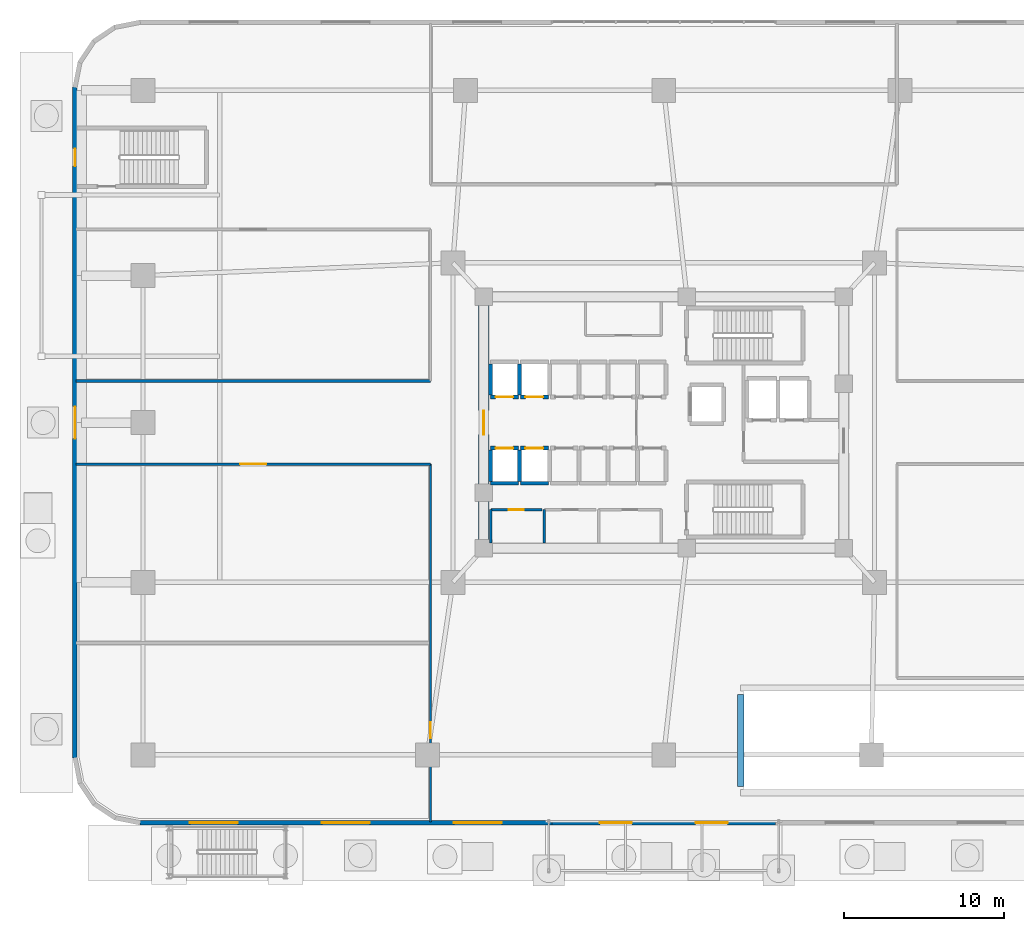
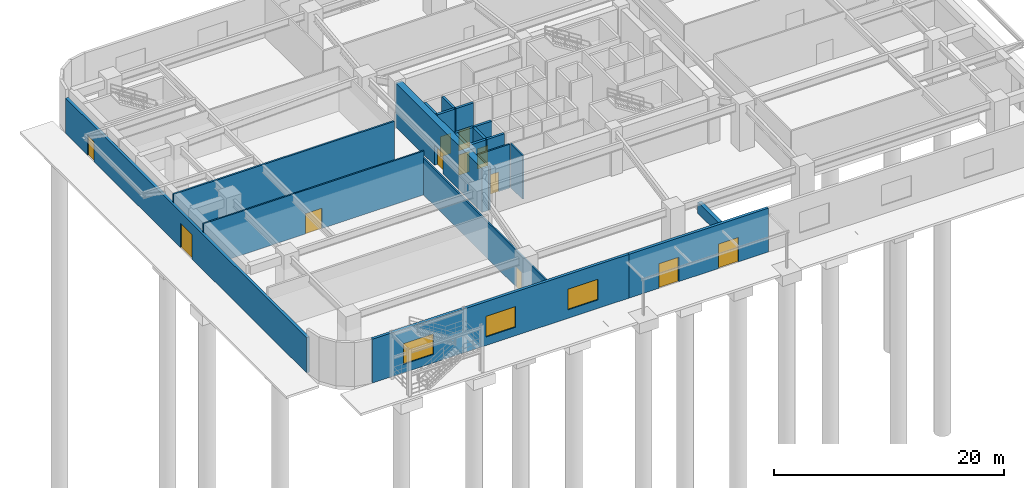
# One storey, part 11 of 18: 21 walls, 12 doors, 3 windows, 15 openings.
"""IFC4 building model written with IfcOpenShell, lengths in metres."""

from ifc_helpers import new_model, si_unit, direction, frame, frame_2d, origin, place, context, subcontext, project, spatial, rectangle, extrude, material, layer, layer_set, type_object, element, fill, save


model = new_model("IFC4")

# Units and contexts
model_context = context("Model", 3, precision=1e-05, world=origin(), true_north=direction((0.0, 1.0)))
body_context = subcontext(model_context, "Body", "Model", "MODEL_VIEW")
ifc_project = project(units=[si_unit("LENGTHUNIT", "METRE"), si_unit("AREAUNIT", "SQUARE_METRE"), si_unit("VOLUMEUNIT", "CUBIC_METRE"), si_unit("PLANEANGLEUNIT", "RADIAN"), si_unit("MASSUNIT", "GRAM", prefix="KILO")], contexts=[model_context])

# Site, building, storey
site_placement = place(None, origin())
site = spatial("IfcSite", under=ifc_project, at=site_placement, CompositionType="ELEMENT")
building_placement = place(site_placement, origin())
building = spatial("IfcBuilding", under=site, at=building_placement, Name="Zulverin Broadcast Headquarters", CompositionType="ELEMENT")
storey_placement = place(building_placement, origin())
storey = spatial("IfcBuildingStorey", under=building, at=storey_placement, Name="L00", CompositionType="ELEMENT", Elevation=0.0)

# Wall
ifc_material_1 = material(Name="Concrete C50/60", Category="concrete")
ifc_layer_1 = layer(ifc_material_1, 0.39990234375, Name="Concrete C50/60", Category="concrete")
ifc_layer_set_1 = layer_set([ifc_layer_1], Name="Concrete C50/60")
wall_type_1 = type_object("IfcWallType", Name="WL-BAR-400", PredefinedType="SOLIDWALL", material=ifc_layer_set_1)
wall_1_placement = place(storey_placement, frame((41.820068359375, 2.419921875, 0.0), z_axis=(0.0, 0.0, 1.0), x_axis=(0.0, 1.0, 0.0)))
element("IfcWall", 1, at=wall_1_placement, inside=storey, type_object=wall_type_1, Name="L00 Ramp Well West End Barrier Wall", PredefinedType="SOLIDWALL", context=body_context, shape_type="SweptSolid", body=[
    extrude(rectangle(XDim=5.760009765625, YDim=0.39990234375, at=frame_2d((2.8798828125, 0.0))), origin(), (0.0, 0.0, 1.0), 1.179931640625),
])

# Wall, opening, door
ifc_material_2 = material(Name="Concrete C60/75", Category="concrete")
ifc_layer_2 = layer(ifc_material_2, 0.64990234375, Name="Concrete C60/75", Category="concrete")
ifc_layer_set_2 = layer_set([ifc_layer_2], Name="Concrete C60/75")
wall_type_2 = type_object("IfcWallType", Name="WL-CORE-650", PredefinedType="SHEAR", material=ifc_layer_set_2)
wall_2_placement = place(storey_placement, frame((25.72509765625, 17.64990234375, 0.0), z_axis=(0.0, 0.0, 1.0), x_axis=(0.0, 1.0, 0.0)))
wall_2 = element("IfcWall", 2, at=wall_2_placement, inside=storey, type_object=wall_type_2, Name="L00 Core West Shear Wall", PredefinedType="SHEAR", context=body_context, shape_type="SweptSolid", body=[
    extrude(rectangle(XDim=15.10009765625, YDim=0.64990234375, at=frame_2d((7.550048828125, 0.0))), origin(), (0.0, 0.0, 1.0), 4.659912109375),
])
opening_1_placement = place(wall_2_placement, frame((6.800048828125, 0.0, 0.0)))
opening_1 = element("IfcOpeningElement", 3, at=opening_1_placement, cuts=wall_2, Name="Opening D-L00-CW1", PredefinedType="OPENING", context=body_context, shape_type="SweptSolid", body=[
    extrude(rectangle(XDim=1.5, YDim=2.14990234375, at=frame_2d((0.75, 1.074951171875))), frame((0.0, 0.3349609375, 0.0), z_axis=(0.0, -1.0, 0.0), x_axis=(1.0, 0.0, 0.0)), (0.0, 0.0, 1.0), 0.669921875),
])
ifc_material_3 = material(Name="Fire-rated glazed steel frame", Category="steel")
door_type_1 = type_object("IfcDoorType", Name="DR-COR-1500", OperationType="DOUBLE_DOOR_SINGLE_SWING", PredefinedType="DOOR", material=ifc_material_3)
door_1_placement = place(opening_1_placement, origin())
door_1 = element("IfcDoor", 4, at=door_1_placement, inside=storey, type_object=door_type_1, Name="L00 Central Lift Lobby West Portal Door", OperationType="DOUBLE_DOOR_SINGLE_SWING", OverallHeight=2.14990234375, OverallWidth=1.5, PredefinedType="DOOR", context=body_context, shape_type="SweptSolid", body=[
    extrude(rectangle(XDim=1.5, YDim=2.14990234375, at=frame_2d((0.75, 1.074951171875))), frame((0.0, 0.02490234375, 0.0), z_axis=(0.0, -1.0, 0.0), x_axis=(1.0, 0.0, 0.0)), (0.0, 0.0, 1.0), 0.050048828125),
])
fill(opening_1, door_1)

# Wall, openings, doors
ifc_material_4 = material(Name="Insulated pale-metal clad concrete spandrel C40/50", Category="concrete")
ifc_layer_3 = layer(ifc_material_4, 0.280029296875, Name="Insulated pale-metal clad concrete spandrel C40/50", Category="concrete")
ifc_layer_set_3 = layer_set([ifc_layer_3], Name="Insulated pale-metal clad concrete spandrel C40/50")
wall_type_3 = type_object("IfcWallType", Name="WL-EXT-280", PredefinedType="STANDARD", material=ifc_layer_set_3)
wall_3_placement = place(storey_placement, frame((0.139892578125, 4.199951171875, 0.0), z_axis=(0.0, 0.0, 1.0), x_axis=(0.0, 1.0, 0.0)))
wall_3 = element("IfcWall", 5, at=wall_3_placement, inside=storey, type_object=wall_type_3, Name="L00 Podium Exterior Wall 3", PredefinedType="STANDARD", context=body_context, shape_type="SweptSolid", body=[
    extrude(rectangle(XDim=42.0, YDim=0.280029296875, at=frame_2d((21.0, 0.0))), origin(), (0.0, 0.0, 1.0), 3.760009765625),
])
opening_2_placement = place(wall_3_placement, frame((20.0, 0.0, 0.0)))
opening_2 = element("IfcOpeningElement", 6, at=opening_2_placement, cuts=wall_3, Name="Opening D-L00-EW1", PredefinedType="OPENING", context=body_context, shape_type="SweptSolid", body=[
    extrude(rectangle(XDim=2.0, YDim=2.60009765625, at=frame_2d((1.0, 1.300048828125))), frame((0.0, 0.14990234375, 0.0), z_axis=(0.0, -1.0, 0.0), x_axis=(1.0, 0.0, 0.0)), (0.0, 0.0, 1.0), 0.300048828125),
])
opening_3_placement = place(wall_3_placement, frame((37.050048828125, 0.0, 0.0)))
opening_3 = element("IfcOpeningElement", 7, at=opening_3_placement, cuts=wall_3, Name="Opening D-L00-EX3", PredefinedType="OPENING", context=body_context, shape_type="SweptSolid", body=[
    extrude(rectangle(XDim=1.10009765625, YDim=2.14990234375, at=frame_2d((0.550048828125, 1.074951171875))), frame((0.0, 0.14990234375, 0.0), z_axis=(0.0, -1.0, 0.0), x_axis=(1.0, 0.0, 0.0)), (0.0, 0.0, 1.0), 0.300048828125),
])
ifc_material_5 = material(Name="Anodized aluminium glazed entry", Category="aluminium")
door_type_2 = type_object("IfcDoorType", Name="DR-ENT-2000", OperationType="DOUBLE_DOOR_SINGLE_SWING", PredefinedType="DOOR", material=ifc_material_5)
door_2_placement = place(opening_2_placement, origin())
door_2 = element("IfcDoor", 8, at=door_2_placement, inside=storey, type_object=door_type_2, Name="L00 West Forecourt Plaza Entrance Door", OperationType="DOUBLE_DOOR_SINGLE_SWING", OverallHeight=2.60009765625, OverallWidth=2.0, PredefinedType="DOOR", context=body_context, shape_type="SweptSolid", body=[
    extrude(rectangle(XDim=2.0, YDim=2.60009765625, at=frame_2d((1.0, 1.300048828125))), frame((0.0, 0.02490234375, 0.0), z_axis=(0.0, -1.0, 0.0), x_axis=(1.0, 0.0, 0.0)), (0.0, 0.0, 1.0), 0.050048828125),
])
fill(opening_2, door_2)
ifc_material_6 = material(Name="Fire-rated steel leaf and frame", Category="steel")
door_type_3 = type_object("IfcDoorType", Name="DR-STAIR-1100", OperationType="SINGLE_SWING_LEFT", PredefinedType="DOOR", material=ifc_material_6)
door_3_placement = place(opening_3_placement, origin())
door_3 = element("IfcDoor", 9, at=door_3_placement, inside=storey, type_object=door_type_3, Name="L00 Exit Stair ST-3 Final Exterior Exit Door", OperationType="SINGLE_SWING_LEFT", OverallHeight=2.14990234375, OverallWidth=1.10009765625, PredefinedType="DOOR", context=body_context, shape_type="SweptSolid", body=[
    extrude(rectangle(XDim=1.10009765625, YDim=2.14990234375, at=frame_2d((0.550048828125, 1.074951171875))), frame((0.0, 0.02490234375, 0.0), z_axis=(0.0, -1.0, 0.0), x_axis=(1.0, 0.0, 0.0)), (0.0, 0.0, 1.0), 0.050048828125),
])
fill(opening_3, door_3)

# Wall, openings, windows
wall_4_placement = place(storey_placement, frame((4.199951171875, 0.139892578125, 0.0), z_axis=(0.0, 0.0, 1.0), x_axis=(1.0, 0.0, 0.0)))
wall_4 = element("IfcWall", 10, at=wall_4_placement, inside=storey, type_object=wall_type_3, Name="L00 Podium Flank Wall 4-1", PredefinedType="STANDARD", context=body_context, shape_type="SweptSolid", body=[
    extrude(rectangle(XDim=25.800048828125, YDim=0.280029296875, at=frame_2d((12.89990234375, 0.0))), origin(), (0.0, 0.0, 1.0), 4.659912109375),
])
opening_4_placement = place(wall_4_placement, frame((3.13330078125, 0.0, 0.89990234375)))
opening_4 = element("IfcOpeningElement", 11, at=opening_4_placement, cuts=wall_4, Name="Opening W-L00-F411", PredefinedType="OPENING", context=body_context, shape_type="SweptSolid", body=[
    extrude(rectangle(XDim=3.0, YDim=2.199951171875, at=frame_2d((1.5, 1.10009765625))), frame((0.0, 0.14990234375, 0.0), z_axis=(0.0, -1.0, 0.0), x_axis=(1.0, 0.0, 0.0)), (0.0, 0.0, 1.0), 0.300048828125),
])
opening_5_placement = place(wall_4_placement, frame((11.39990234375, 0.0, 0.89990234375)))
opening_5 = element("IfcOpeningElement", 12, at=opening_5_placement, cuts=wall_4, Name="Opening W-L00-F412", PredefinedType="OPENING", context=body_context, shape_type="SweptSolid", body=[
    extrude(rectangle(XDim=3.0, YDim=2.199951171875, at=frame_2d((1.5, 1.10009765625))), frame((0.0, 0.14990234375, 0.0), z_axis=(0.0, -1.0, 0.0), x_axis=(1.0, 0.0, 0.0)), (0.0, 0.0, 1.0), 0.300048828125),
])
opening_6_placement = place(wall_4_placement, frame((19.666748046875, 0.0, 0.89990234375)))
opening_6 = element("IfcOpeningElement", 13, at=opening_6_placement, cuts=wall_4, Name="Opening W-L00-F413", PredefinedType="OPENING", context=body_context, shape_type="SweptSolid", body=[
    extrude(rectangle(XDim=3.0, YDim=2.199951171875, at=frame_2d((1.5, 1.10009765625))), frame((0.0, 0.14990234375, 0.0), z_axis=(0.0, -1.0, 0.0), x_axis=(1.0, 0.0, 0.0)), (0.0, 0.0, 1.0), 0.300048828125),
])
ifc_material_7 = material(Name="Pale anodized aluminium frame with solar-control low-E double glazing", Category="aluminium")
window_type = type_object("IfcWindowType", Name="WIN-POD-3000", PartitioningType="SINGLE_PANEL", PredefinedType="WINDOW", material=ifc_material_7)
window_1_placement = place(opening_4_placement, origin())
window_1 = element("IfcWindow", 14, at=window_1_placement, inside=storey, type_object=window_type, Name="L00 Podium Flank Window 4-1 1", OverallHeight=2.199951171875, OverallWidth=3.0, PartitioningType="SINGLE_PANEL", PredefinedType="WINDOW", context=body_context, shape_type="SweptSolid", body=[
    extrude(rectangle(XDim=3.0, YDim=2.199951171875, at=frame_2d((1.5, 1.10009765625))), frame((0.0, 0.030029296875, 0.0), z_axis=(0.0, -1.0, 0.0), x_axis=(1.0, 0.0, 0.0)), (0.0, 0.0, 1.0), 0.06005859375),
])
fill(opening_4, window_1)
window_2_placement = place(opening_5_placement, origin())
window_2 = element("IfcWindow", 15, at=window_2_placement, inside=storey, type_object=window_type, Name="L00 Podium Flank Window 4-1 2", OverallHeight=2.199951171875, OverallWidth=3.0, PartitioningType="SINGLE_PANEL", PredefinedType="WINDOW", context=body_context, shape_type="SweptSolid", body=[
    extrude(rectangle(XDim=3.0, YDim=2.199951171875, at=frame_2d((1.5, 1.10009765625))), frame((0.0, 0.030029296875, 0.0), z_axis=(0.0, -1.0, 0.0), x_axis=(1.0, 0.0, 0.0)), (0.0, 0.0, 1.0), 0.06005859375),
])
fill(opening_5, window_2)
window_3_placement = place(opening_6_placement, origin())
window_3 = element("IfcWindow", 16, at=window_3_placement, inside=storey, type_object=window_type, Name="L00 Podium Flank Window 4-1 3", OverallHeight=2.199951171875, OverallWidth=3.0, PartitioningType="SINGLE_PANEL", PredefinedType="WINDOW", context=body_context, shape_type="SweptSolid", body=[
    extrude(rectangle(XDim=3.0, YDim=2.199951171875, at=frame_2d((1.5, 1.10009765625))), frame((0.0, 0.030029296875, 0.0), z_axis=(0.0, -1.0, 0.0), x_axis=(1.0, 0.0, 0.0)), (0.0, 0.0, 1.0), 0.06005859375),
])
fill(opening_6, window_3)

# Wall, openings, doors
wall_5_placement = place(storey_placement, frame((44.0, 0.139892578125, 0.0), z_axis=(0.0, 0.0, 1.0), x_axis=(-1.0, 0.0, 0.0)))
wall_5 = element("IfcWall", 17, at=wall_5_placement, inside=storey, type_object=wall_type_3, Name="L00 South Grand Entrance Portal Wall", PredefinedType="STANDARD", context=body_context, shape_type="SweptSolid", body=[
    extrude(rectangle(XDim=14.0, YDim=0.280029296875, at=frame_2d((7.0, 0.0))), origin(), (0.0, 0.0, 1.0), 4.659912109375),
])
opening_7_placement = place(wall_5_placement, frame((3.0, 0.0, 0.0)))
opening_7 = element("IfcOpeningElement", 18, at=opening_7_placement, cuts=wall_5, Name="Opening D-L00-ES1", PredefinedType="OPENING", context=body_context, shape_type="SweptSolid", body=[
    extrude(rectangle(XDim=2.0, YDim=2.60009765625, at=frame_2d((1.0, 1.300048828125))), frame((0.0, 0.14990234375, 0.0), z_axis=(0.0, -1.0, 0.0), x_axis=(1.0, 0.0, 0.0)), (0.0, 0.0, 1.0), 0.300048828125),
])
opening_8_placement = place(wall_5_placement, frame((9.0, 0.0, 0.0)))
opening_8 = element("IfcOpeningElement", 19, at=opening_8_placement, cuts=wall_5, Name="Opening D-L00-ES2", PredefinedType="OPENING", context=body_context, shape_type="SweptSolid", body=[
    extrude(rectangle(XDim=2.0, YDim=2.60009765625, at=frame_2d((1.0, 1.300048828125))), frame((0.0, 0.14990234375, 0.0), z_axis=(0.0, -1.0, 0.0), x_axis=(1.0, 0.0, 0.0)), (0.0, 0.0, 1.0), 0.300048828125),
])
door_4_placement = place(opening_7_placement, origin())
door_4 = element("IfcDoor", 20, at=door_4_placement, inside=storey, type_object=door_type_2, Name="L00 South Grand Broadcast Entrance Door 1", OperationType="DOUBLE_DOOR_SINGLE_SWING", OverallHeight=2.60009765625, OverallWidth=2.0, PredefinedType="DOOR", context=body_context, shape_type="SweptSolid", body=[
    extrude(rectangle(XDim=2.0, YDim=2.60009765625, at=frame_2d((1.0, 1.300048828125))), frame((0.0, 0.02490234375, 0.0), z_axis=(0.0, -1.0, 0.0), x_axis=(1.0, 0.0, 0.0)), (0.0, 0.0, 1.0), 0.050048828125),
])
fill(opening_7, door_4)
door_5_placement = place(opening_8_placement, origin())
door_5 = element("IfcDoor", 21, at=door_5_placement, inside=storey, type_object=door_type_2, Name="L00 South Grand Broadcast Entrance Door 2", OperationType="DOUBLE_DOOR_SINGLE_SWING", OverallHeight=2.60009765625, OverallWidth=2.0, PredefinedType="DOOR", context=body_context, shape_type="SweptSolid", body=[
    extrude(rectangle(XDim=2.0, YDim=2.60009765625, at=frame_2d((1.0, 1.300048828125))), frame((0.0, 0.02490234375, 0.0), z_axis=(0.0, -1.0, 0.0), x_axis=(1.0, 0.0, 0.0)), (0.0, 0.0, 1.0), 0.050048828125),
])
fill(opening_8, door_5)

# Wall, opening, door
ifc_material_8 = material(Name="Fire-rated gypsum stud partition", Category="gypsum")
ifc_layer_4 = layer(ifc_material_8, 0.14990234375, Name="Fire-rated gypsum stud partition", Category="gypsum")
ifc_layer_set_4 = layer_set([ifc_layer_4], Name="Fire-rated gypsum stud partition")
wall_type_4 = type_object("IfcWallType", Name="WL-PART-150", PredefinedType="PARTITIONING", material=ifc_layer_set_4)
wall_6_placement = place(storey_placement, frame((26.169921875, 19.75, 0.0), z_axis=(0.0, 0.0, 1.0), x_axis=(1.0, 0.0, 0.0)))
wall_6 = element("IfcWall", 22, at=wall_6_placement, inside=storey, type_object=wall_type_4, Name="L00 Core Male WC Front Wall", PredefinedType="PARTITIONING", context=body_context, shape_type="SweptSolid", body=[
    extrude(rectangle(XDim=3.2001953125, YDim=0.14990234375, at=frame_2d((1.60009765625, 0.0))), origin(), (0.0, 0.0, 1.0), 4.659912109375),
])
opening_9_placement = place(wall_6_placement, frame((1.125, 0.0, 0.0)))
opening_9 = element("IfcOpeningElement", 23, at=opening_9_placement, cuts=wall_6, Name="Opening D-L00-SC1", PredefinedType="OPENING", context=body_context, shape_type="SweptSolid", body=[
    extrude(rectangle(XDim=0.949951171875, YDim=2.10009765625, at=frame_2d((0.47509765625, 1.050048828125))), frame((0.0, 0.0849609375, 0.0), z_axis=(0.0, -1.0, 0.0), x_axis=(1.0, 0.0, 0.0)), (0.0, 0.0, 1.0), 0.169921875),
])
ifc_material_9 = material(Name="Fire-rated moisture-resistant laminate leaf", Category="wood")
door_type_4 = type_object("IfcDoorType", Name="DR-WC-950", OperationType="SINGLE_SWING_LEFT", PredefinedType="DOOR", material=ifc_material_9)
door_6_placement = place(opening_9_placement, origin())
door_6 = element("IfcDoor", 24, at=door_6_placement, inside=storey, type_object=door_type_4, Name="L00 Male WC Door", OperationType="SINGLE_SWING_RIGHT", OverallHeight=2.10009765625, OverallWidth=0.949951171875, PredefinedType="DOOR", context=body_context, shape_type="SweptSolid", body=[
    extrude(rectangle(XDim=0.949951171875, YDim=2.10009765625, at=frame_2d((0.47509765625, 1.050048828125))), frame((0.0, 0.02490234375, 0.0), z_axis=(0.0, -1.0, 0.0), x_axis=(1.0, 0.0, 0.0)), (0.0, 0.0, 1.0), 0.050048828125),
])
fill(opening_9, door_6)

# Walls
for number, where, z_axis, x_axis, name in (
    (25, (26.169921875, 17.64990234375, 0.0), (0.0, 0.0, 1.0), (0.0, 1.0, 0.0), "L00 Core Male WC West Wall"),
    (26, (29.530029296875, 17.64990234375, 0.0), (0.0, 0.0, 1.0), (0.0, 1.0, 0.0), "L00 Core Female WC West Wall"),
):
    element("IfcWall", number, at=place(storey_placement, frame(where, z_axis=z_axis, x_axis=x_axis)), inside=storey, type_object=wall_type_4, Name=name, PredefinedType="PARTITIONING", context=body_context, shape_type="SweptSolid", body=[
        extrude(rectangle(XDim=2.10009765625, YDim=0.14990234375, at=frame_2d((1.050048828125, 0.0))), origin(), (0.0, 0.0, 1.0), 4.659912109375),
    ])

# Wall, opening, door
wall_7_placement = place(storey_placement, frame((22.39990234375, 0.205078125, 0.0), z_axis=(0.0, 0.0, 1.0), x_axis=(0.0, 1.0, 0.0)))
wall_7 = element("IfcWall", 27, at=wall_7_placement, inside=storey, type_object=wall_type_4, Name="L00 Gallery Partition Wall CG-05", PredefinedType="PARTITIONING", context=body_context, shape_type="SweptSolid", body=[
    extrude(rectangle(XDim=22.39501953125, YDim=0.14990234375, at=frame_2d((11.197509765625, 0.0))), origin(), (0.0, 0.0, 1.0), 3.89013671875),
])
opening_10_placement = place(wall_7_placement, frame((5.217529296875, 0.0, 0.0)))
opening_10 = element("IfcOpeningElement", 28, at=opening_10_placement, cuts=wall_7, Name="Opening D-L00-FCC", PredefinedType="OPENING", context=body_context, shape_type="SweptSolid", body=[
    extrude(rectangle(XDim=1.0, YDim=2.1201171875, at=frame_2d((0.5, 1.06005859375))), frame((0.0, 0.0849609375, 0.0), z_axis=(0.0, -1.0, 0.0), x_axis=(1.0, 0.0, 0.0)), (0.0, 0.0, 1.0), 0.169921875),
])
ifc_material_10 = material(Name="Hardwood veneer acoustic leaf", Category="wood")
door_type_5 = type_object("IfcDoorType", Name="DR-OFF-1000", OperationType="SINGLE_SWING_LEFT", PredefinedType="DOOR", material=ifc_material_10)
door_7_placement = place(opening_10_placement, origin())
door_7 = element("IfcDoor", 29, at=door_7_placement, inside=storey, type_object=door_type_5, Name="L00 Fire Command Room Door", OperationType="SINGLE_SWING_RIGHT", OverallHeight=2.1201171875, OverallWidth=1.0, PredefinedType="DOOR", context=body_context, shape_type="SweptSolid", body=[
    extrude(rectangle(XDim=1.0, YDim=2.1201171875, at=frame_2d((0.5, 1.06005859375))), frame((0.0, 0.02490234375, 0.0), z_axis=(0.0, -1.0, 0.0), x_axis=(1.0, 0.0, 0.0)), (0.0, 0.0, 1.0), 0.050048828125),
])
fill(opening_10, door_7)

wall_8_placement = place(storey_placement, frame((0.205078125, 22.60009765625, 0.0), z_axis=(0.0, 0.0, 1.0), x_axis=(1.0, 0.0, 0.0)))
wall_8 = element("IfcWall", 30, at=wall_8_placement, inside=storey, type_object=wall_type_4, Name="L00 Gallery Partition Wall CG-10", PredefinedType="PARTITIONING", context=body_context, shape_type="SweptSolid", body=[
    extrude(rectangle(XDim=22.19482421875, YDim=0.14990234375, at=frame_2d((11.097412109375, 0.0))), origin(), (0.0, 0.0, 1.0), 4.659912109375),
])
opening_11_placement = place(wall_8_placement, frame((10.2724609375, 0.0, 0.0)))
opening_11 = element("IfcOpeningElement", 31, at=opening_11_placement, cuts=wall_8, Name="Opening D-L00-RET", PredefinedType="OPENING", context=body_context, shape_type="SweptSolid", body=[
    extrude(rectangle(XDim=1.64990234375, YDim=2.14990234375, at=frame_2d((0.824951171875, 1.074951171875))), frame((0.0, 0.0849609375, 0.0), z_axis=(0.0, -1.0, 0.0), x_axis=(1.0, 0.0, 0.0)), (0.0, 0.0, 1.0), 0.169921875),
])
ifc_material_11 = material(Name="Fire-rated acoustic double leaf", Category="steel")
door_type_6 = type_object("IfcDoorType", Name="DR-AUD-1650", OperationType="DOUBLE_DOOR_SINGLE_SWING", PredefinedType="DOOR", material=ifc_material_11)
door_8_placement = place(opening_11_placement, origin())
door_8 = element("IfcDoor", 32, at=door_8_placement, inside=storey, type_object=door_type_6, Name="L00 Broadcast Experience Retail & Cafe Door", OperationType="DOUBLE_DOOR_SINGLE_SWING", OverallHeight=2.14990234375, OverallWidth=1.64990234375, PredefinedType="DOOR", context=body_context, shape_type="SweptSolid", body=[
    extrude(rectangle(XDim=1.64990234375, YDim=2.14990234375, at=frame_2d((0.824951171875, 1.074951171875))), frame((0.0, 0.02490234375, 0.0), z_axis=(0.0, -1.0, 0.0), x_axis=(1.0, 0.0, 0.0)), (0.0, 0.0, 1.0), 0.050048828125),
])
fill(opening_11, door_8)

# Wall
ifc_material_12 = material(Name="Fire-rated acoustic stud wall", Category="gypsum")
ifc_layer_5 = layer(ifc_material_12, 0.175048828125, Name="Fire-rated acoustic stud wall", Category="gypsum")
ifc_layer_set_5 = layer_set([ifc_layer_5], Name="Fire-rated acoustic stud wall")
wall_type_5 = type_object("IfcWallType", Name="WL-PART-175", PredefinedType="PARTITIONING", material=ifc_layer_set_5)
wall_9_placement = place(storey_placement, frame((0.205078125, 27.800048828125, 0.0), z_axis=(0.0, 0.0, 1.0), x_axis=(1.0, 0.0, 0.0)))
element("IfcWall", 33, at=wall_9_placement, inside=storey, type_object=wall_type_5, Name="L00 Gallery Partition Wall CG-12", PredefinedType="PARTITIONING", context=body_context, shape_type="SweptSolid", body=[
    extrude(rectangle(XDim=22.19482421875, YDim=0.175048828125, at=frame_2d((11.097412109375, 0.0))), origin(), (0.0, 0.0, 1.0), 4.659912109375),
])

# Wall, opening, door
ifc_layer_6 = layer(ifc_material_1, 0.25, Name="Concrete C50/60", Category="concrete")
ifc_layer_set_6 = layer_set([ifc_layer_6], Name="Concrete C50/60")
wall_type_6 = type_object("IfcWallType", Name="WL-SHAFT-250", PredefinedType="SHEAR", material=ifc_layer_set_6)
wall_10_placement = place(storey_placement, frame((26.14990234375, 26.800048828125, 0.0), z_axis=(0.0, 0.0, 1.0), x_axis=(1.0, 0.0, 0.0)))
wall_10 = element("IfcWall", 34, at=wall_10_placement, inside=storey, type_object=wall_type_6, Name="L00 Lift PL-L1 Shaft Wall S", PredefinedType="SHEAR", context=body_context, shape_type="SweptSolid", body=[
    extrude(rectangle(XDim=1.75, YDim=0.25, at=frame_2d((0.875, 0.0))), origin(), (0.0, 0.0, 1.0), 4.659912109375),
])
opening_12_placement = place(wall_10_placement, frame((0.324951171875, 0.0, 0.0)))
opening_12 = element("IfcOpeningElement", 35, at=opening_12_placement, cuts=wall_10, Name="Opening LD-PL-L1-L00", PredefinedType="OPENING", context=body_context, shape_type="SweptSolid", body=[
    extrude(rectangle(XDim=1.10009765625, YDim=2.14990234375, at=frame_2d((0.550048828125, 1.074951171875))), frame((0.0, 0.135009765625, 0.0), z_axis=(0.0, -1.0, 0.0), x_axis=(1.0, 0.0, 0.0)), (0.0, 0.0, 1.0), 0.27001953125),
])
ifc_material_13 = material(Name="Brushed stainless steel landing", Category="steel")
door_type_7 = type_object("IfcDoorType", Name="LD-PASS-1100", OperationType="DOUBLE_DOOR_SLIDING", PredefinedType="DOOR", material=ifc_material_13)
door_9_placement = place(opening_12_placement, origin())
door_9 = element("IfcDoor", 36, at=door_9_placement, inside=storey, type_object=door_type_7, Name="L00 Lift PL-L1 Sliding Landing Door", OperationType="DOUBLE_DOOR_SLIDING", OverallHeight=2.14990234375, OverallWidth=1.10009765625, PredefinedType="DOOR", context=body_context, shape_type="SweptSolid", body=[
    extrude(rectangle(XDim=1.10009765625, YDim=2.14990234375, at=frame_2d((0.550048828125, 1.074951171875))), frame((0.0, 0.02490234375, 0.0), z_axis=(0.0, -1.0, 0.0), x_axis=(1.0, 0.0, 0.0)), (0.0, 0.0, 1.0), 0.050048828125),
])
fill(opening_12, door_9)

# Walls
for number, where, z_axis, x_axis, name in (
    (37, (26.14990234375, 26.919921875, 0.0), (0.0, 0.0, 1.0), (0.0, 1.0, 0.0), "L00 Lift PL-L1 Shaft Wall W"),
    (38, (27.9599609375, 26.919921875, 0.0), (0.0, 0.0, 1.0), (0.0, 1.0, 0.0), "L00 Lift PL-L1 Shaft Wall E"),
):
    element("IfcWall", number, at=place(storey_placement, frame(where, z_axis=z_axis, x_axis=x_axis)), inside=storey, type_object=wall_type_6, Name=name, PredefinedType="SHEAR", context=body_context, shape_type="SweptSolid", body=[
        extrude(rectangle(XDim=1.9599609375, YDim=0.25, at=frame_2d((0.97998046875, 0.0))), origin(), (0.0, 0.0, 1.0), 4.659912109375),
    ])

# Wall, opening, door
wall_11_placement = place(storey_placement, frame((28.02001953125, 26.800048828125, 0.0), z_axis=(0.0, 0.0, 1.0), x_axis=(1.0, 0.0, 0.0)))
wall_11 = element("IfcWall", 39, at=wall_11_placement, inside=storey, type_object=wall_type_6, Name="L00 Lift PL-L2 Shaft Wall S", PredefinedType="SHEAR", context=body_context, shape_type="SweptSolid", body=[
    extrude(rectangle(XDim=1.75, YDim=0.25, at=frame_2d((0.875, 0.0))), origin(), (0.0, 0.0, 1.0), 4.659912109375),
])
opening_13_placement = place(wall_11_placement, frame((0.324951171875, 0.0, 0.0)))
opening_13 = element("IfcOpeningElement", 40, at=opening_13_placement, cuts=wall_11, Name="Opening LD-PL-L2-L00", PredefinedType="OPENING", context=body_context, shape_type="SweptSolid", body=[
    extrude(rectangle(XDim=1.10009765625, YDim=2.14990234375, at=frame_2d((0.550048828125, 1.074951171875))), frame((0.0, 0.135009765625, 0.0), z_axis=(0.0, -1.0, 0.0), x_axis=(1.0, 0.0, 0.0)), (0.0, 0.0, 1.0), 0.27001953125),
])
door_10_placement = place(opening_13_placement, origin())
door_10 = element("IfcDoor", 41, at=door_10_placement, inside=storey, type_object=door_type_7, Name="L00 Lift PL-L2 Sliding Landing Door", OperationType="DOUBLE_DOOR_SLIDING", OverallHeight=2.14990234375, OverallWidth=1.10009765625, PredefinedType="DOOR", context=body_context, shape_type="SweptSolid", body=[
    extrude(rectangle(XDim=1.10009765625, YDim=2.14990234375, at=frame_2d((0.550048828125, 1.074951171875))), frame((0.0, 0.02490234375, 0.0), z_axis=(0.0, -1.0, 0.0), x_axis=(1.0, 0.0, 0.0)), (0.0, 0.0, 1.0), 0.050048828125),
])
fill(opening_13, door_10)

# Wall
wall_12_placement = place(storey_placement, frame((26.14990234375, 21.39990234375, 0.0), z_axis=(0.0, 0.0, 1.0), x_axis=(1.0, 0.0, 0.0)))
element("IfcWall", 42, at=wall_12_placement, inside=storey, type_object=wall_type_6, Name="L00 Lift PL-L3 Shaft Wall S", PredefinedType="SHEAR", context=body_context, shape_type="SweptSolid", body=[
    extrude(rectangle(XDim=1.75, YDim=0.25, at=frame_2d((0.875, 0.0))), origin(), (0.0, 0.0, 1.0), 4.659912109375),
])

# Wall, opening, door
wall_13_placement = place(storey_placement, frame((26.14990234375, 23.60009765625, 0.0), z_axis=(0.0, 0.0, 1.0), x_axis=(1.0, 0.0, 0.0)))
wall_13 = element("IfcWall", 43, at=wall_13_placement, inside=storey, type_object=wall_type_6, Name="L00 Lift PL-L3 Shaft Wall N", PredefinedType="SHEAR", context=body_context, shape_type="SweptSolid", body=[
    extrude(rectangle(XDim=1.75, YDim=0.25, at=frame_2d((0.875, 0.0))), origin(), (0.0, 0.0, 1.0), 4.659912109375),
])
opening_14_placement = place(wall_13_placement, frame((0.324951171875, 0.0, 0.0)))
opening_14 = element("IfcOpeningElement", 44, at=opening_14_placement, cuts=wall_13, Name="Opening LD-PL-L3-L00", PredefinedType="OPENING", context=body_context, shape_type="SweptSolid", body=[
    extrude(rectangle(XDim=1.10009765625, YDim=2.14990234375, at=frame_2d((0.550048828125, 1.074951171875))), frame((0.0, 0.135009765625, 0.0), z_axis=(0.0, -1.0, 0.0), x_axis=(1.0, 0.0, 0.0)), (0.0, 0.0, 1.0), 0.27001953125),
])
door_11_placement = place(opening_14_placement, origin())
door_11 = element("IfcDoor", 45, at=door_11_placement, inside=storey, type_object=door_type_7, Name="L00 Lift PL-L3 Sliding Landing Door", OperationType="DOUBLE_DOOR_SLIDING", OverallHeight=2.14990234375, OverallWidth=1.10009765625, PredefinedType="DOOR", context=body_context, shape_type="SweptSolid", body=[
    extrude(rectangle(XDim=1.10009765625, YDim=2.14990234375, at=frame_2d((0.550048828125, 1.074951171875))), frame((0.0, 0.02490234375, 0.0), z_axis=(0.0, -1.0, 0.0), x_axis=(1.0, 0.0, 0.0)), (0.0, 0.0, 1.0), 0.050048828125),
])
fill(opening_14, door_11)

# Walls
for number, where, z_axis, x_axis, name in (
    (46, (26.14990234375, 21.52001953125, 0.0), (0.0, 0.0, 1.0), (0.0, 1.0, 0.0), "L00 Lift PL-L3 Shaft Wall W"),
    (47, (27.9599609375, 21.52001953125, 0.0), (0.0, 0.0, 1.0), (0.0, 1.0, 0.0), "L00 Lift PL-L3 Shaft Wall E"),
):
    element("IfcWall", number, at=place(storey_placement, frame(where, z_axis=z_axis, x_axis=x_axis)), inside=storey, type_object=wall_type_6, Name=name, PredefinedType="SHEAR", context=body_context, shape_type="SweptSolid", body=[
        extrude(rectangle(XDim=1.9599609375, YDim=0.25, at=frame_2d((0.97998046875, 0.0))), origin(), (0.0, 0.0, 1.0), 4.659912109375),
    ])
wall_14_placement = place(storey_placement, frame((28.02001953125, 21.39990234375, 0.0), z_axis=(0.0, 0.0, 1.0), x_axis=(1.0, 0.0, 0.0)))
element("IfcWall", 48, at=wall_14_placement, inside=storey, type_object=wall_type_6, Name="L00 Lift PL-L4 Shaft Wall S", PredefinedType="SHEAR", context=body_context, shape_type="SweptSolid", body=[
    extrude(rectangle(XDim=1.75, YDim=0.25, at=frame_2d((0.875, 0.0))), origin(), (0.0, 0.0, 1.0), 4.659912109375),
])

# Wall, opening, door
wall_15_placement = place(storey_placement, frame((28.02001953125, 23.60009765625, 0.0), z_axis=(0.0, 0.0, 1.0), x_axis=(1.0, 0.0, 0.0)))
wall_15 = element("IfcWall", 49, at=wall_15_placement, inside=storey, type_object=wall_type_6, Name="L00 Lift PL-L4 Shaft Wall N", PredefinedType="SHEAR", context=body_context, shape_type="SweptSolid", body=[
    extrude(rectangle(XDim=1.75, YDim=0.25, at=frame_2d((0.875, 0.0))), origin(), (0.0, 0.0, 1.0), 4.659912109375),
])
opening_15_placement = place(wall_15_placement, frame((0.324951171875, 0.0, 0.0)))
opening_15 = element("IfcOpeningElement", 50, at=opening_15_placement, cuts=wall_15, Name="Opening LD-PL-L4-L00", PredefinedType="OPENING", context=body_context, shape_type="SweptSolid", body=[
    extrude(rectangle(XDim=1.10009765625, YDim=2.14990234375, at=frame_2d((0.550048828125, 1.074951171875))), frame((0.0, 0.135009765625, 0.0), z_axis=(0.0, -1.0, 0.0), x_axis=(1.0, 0.0, 0.0)), (0.0, 0.0, 1.0), 0.27001953125),
])
door_12_placement = place(opening_15_placement, origin())
door_12 = element("IfcDoor", 51, at=door_12_placement, inside=storey, type_object=door_type_7, Name="L00 Lift PL-L4 Sliding Landing Door", OperationType="DOUBLE_DOOR_SLIDING", OverallHeight=2.14990234375, OverallWidth=1.10009765625, PredefinedType="DOOR", context=body_context, shape_type="SweptSolid", body=[
    extrude(rectangle(XDim=1.10009765625, YDim=2.14990234375, at=frame_2d((0.550048828125, 1.074951171875))), frame((0.0, 0.02490234375, 0.0), z_axis=(0.0, -1.0, 0.0), x_axis=(1.0, 0.0, 0.0)), (0.0, 0.0, 1.0), 0.050048828125),
])
fill(opening_15, door_12)

save(model, "model.ifc")
